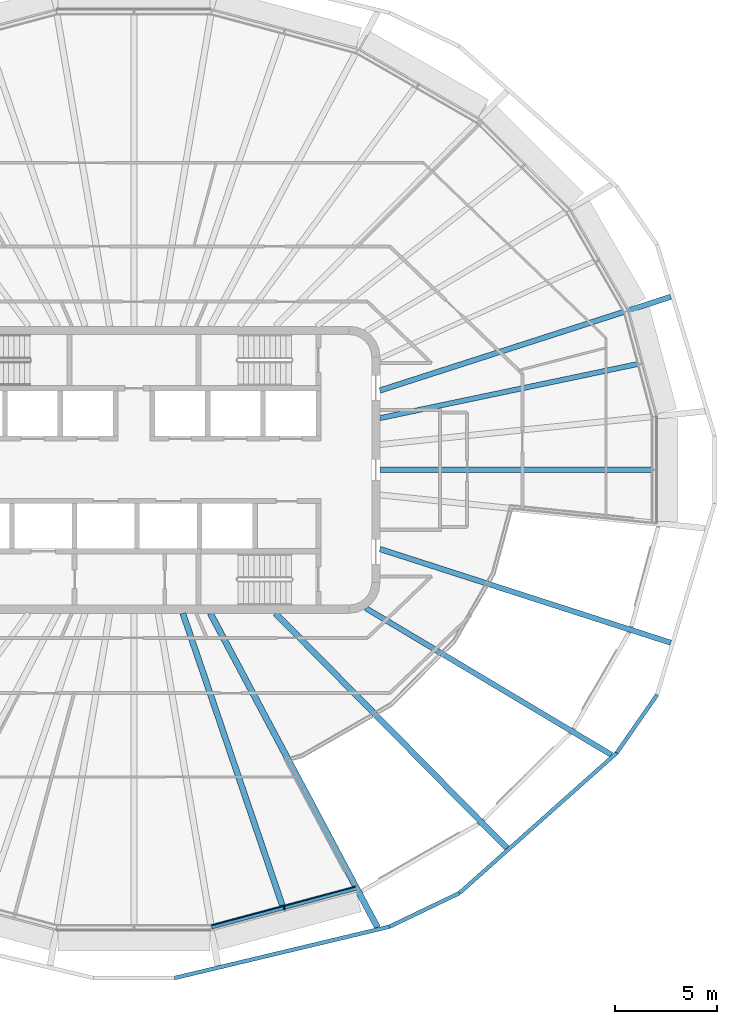
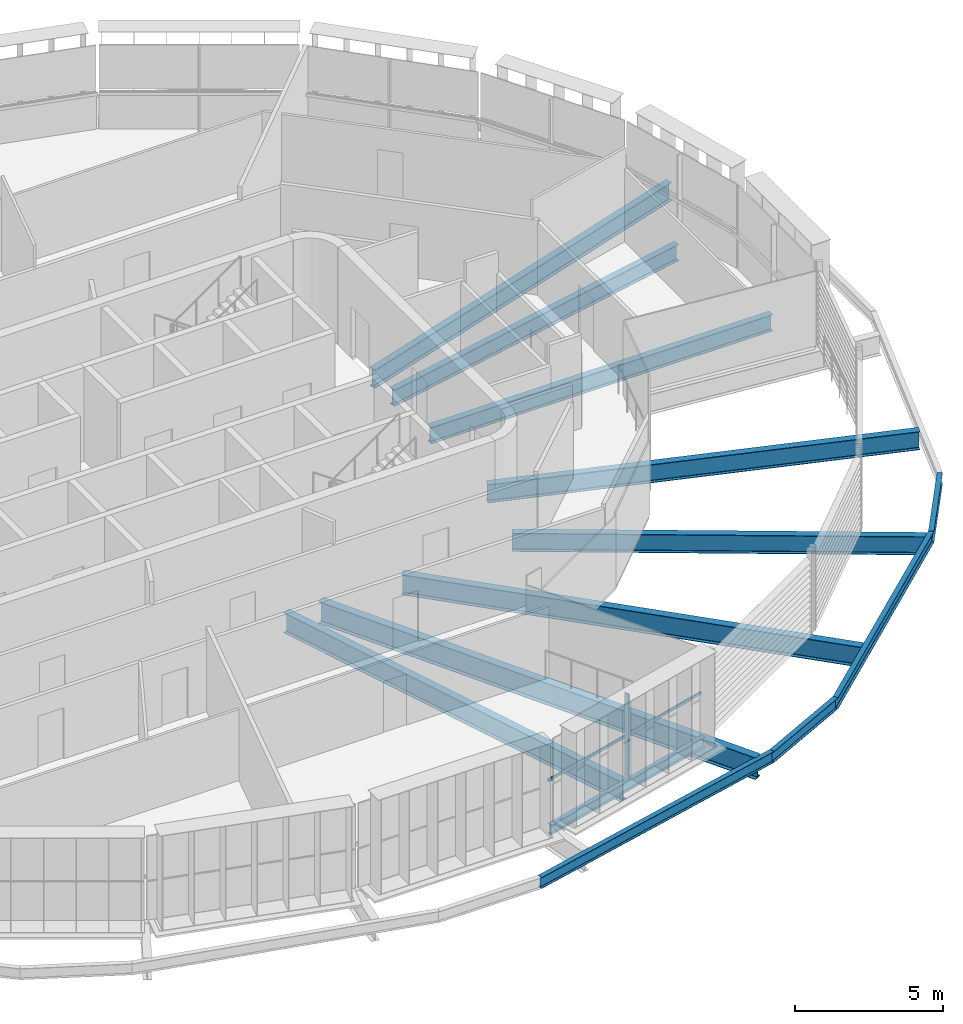
# One storey, part 3 of 18: 13 beams, 2 members, 1 element without a shape of its own.
"""IFC4 building model written with IfcOpenShell, lengths in metres."""

from ifc_helpers import new_model, si_unit, direction, frame, origin, origin_2d, place, context, subcontext, project, spatial, rectangle, i_section, extrude, material, layer, layer_set, material_profile, profile_set, type_object, element, aggregate, save


model = new_model("IFC4")

# Units and contexts
model_context = context("Model", 3, precision=1e-05, world=origin(), true_north=direction((0.0, 1.0)))
body_context = subcontext(model_context, "Body", "Model", "MODEL_VIEW")
ifc_project = project(units=[si_unit("LENGTHUNIT", "METRE"), si_unit("AREAUNIT", "SQUARE_METRE"), si_unit("VOLUMEUNIT", "CUBIC_METRE"), si_unit("PLANEANGLEUNIT", "RADIAN"), si_unit("MASSUNIT", "GRAM", prefix="KILO")], contexts=[model_context])

# Site, building, storey
site_placement = place(None, origin())
site = spatial("IfcSite", under=ifc_project, at=site_placement, CompositionType="ELEMENT")
building_placement = place(site_placement, origin())
building = spatial("IfcBuilding", under=site, at=building_placement, Name="Sahrelin Media Tower", CompositionType="ELEMENT")
storey_placement = place(building_placement, frame((0.0, 0.0, 312.39990234375)))
storey = spatial("IfcBuildingStorey", under=building, at=storey_placement, Name="L69", CompositionType="ELEMENT", Elevation=312.39990234375)

# Beam
ifc_material_1 = material(Name="Steel S355", Category="steel")
ifc_material_profile_1 = material_profile(ifc_material_1, i_section(OverallWidth=0.177978515625, OverallDepth=0.406494140625, WebThickness=0.0078125, FlangeThickness=0.0126953125, FilletRadius=0.01025390625, at=origin_2d()), Name="UB 406x178x60")
ifc_profile_set_1 = profile_set([ifc_material_profile_1], Name="Steel S355")
beam_type_1 = type_object("IfcBeamType", Name="Edge beam EB4", PredefinedType="BEAM", material=ifc_profile_set_1)
beam_1_placement = place(storey_placement, frame((10.86083984375, -20.414306640625, -0.35302734375), z_axis=(-0.965929736492, -0.258804451587, 0.0), x_axis=(0.258804451587, -0.965929736492, 0.0)))
element("IfcBeam", 1, at=beam_1_placement, inside=storey, type_object=beam_type_1, Name="Edge beam L69-02", PredefinedType="BEAM", context=body_context, shape_type="SweptSolid", body=[
    extrude(i_section(OverallWidth=0.177978515625, OverallDepth=0.406494140625, WebThickness=0.0078125, FlangeThickness=0.0126953125, FilletRadius=0.01025390625, at=origin_2d()), origin(), (0.0, 0.0, 1.0), 7.318359375),
])

# Curtain wall, member
ifc_material_2 = material(Name="Champagne anodised aluminium 6063-T6", Category="aluminium")
ifc_layer = layer(ifc_material_2, 0.14990234375)
ifc_layer_set = layer_set([ifc_layer], Name="Tower ribbon curtain wall")
curtain_wall_type = type_object("IfcCurtainWallType", Name="Tower ribbon curtain wall", PredefinedType="NOTDEFINED", material=ifc_layer_set)
curtain_wall_placement = place(storey_placement, frame((7.364990234375, -21.506103515625, 0.0), z_axis=(0.0, 0.0, 1.0), x_axis=(1.0, 0.0, 0.0)))
curtain_wall = element("IfcCurtainWall", 2, at=curtain_wall_placement, inside=storey, type_object=curtain_wall_type, Name="L69:CW:L69-19", PredefinedType="NOTDEFINED")
ifc_material_profile_2 = material_profile(ifc_material_2, rectangle(XDim=0.06005859375, YDim=0.199951171875, at=origin_2d()), Name="Mullion 60x200")
ifc_profile_set_2 = profile_set([ifc_material_profile_2], Name="Champagne anodised aluminium 6063-T6")
member_type_1 = type_object("IfcMemberType", Name="Mullion 60x200 CW1C", PredefinedType="MULLION", material=ifc_profile_set_2)
member_1_placement = place(storey_placement, frame((7.333984375, -21.39013671875, 0.0), z_axis=(0.0, 0.0, 1.0), x_axis=(0.965925826289, 0.258819045103, 0.0)))
member_1 = element("IfcMember", 3, at=member_1_placement, type_object=member_type_1, Name="L69:CWM:L69-19", PredefinedType="MULLION", context=body_context, shape_type="SweptSolid", body=[
    extrude(rectangle(XDim=0.06005859375, YDim=0.199951171875, at=origin_2d()), origin(), (0.0, 0.0, 1.0), 3.44873046875),
])

# Beams
ifc_material_profile_3 = material_profile(ifc_material_1, i_section(OverallWidth=0.291748046875, OverallDepth=0.8349609375, WebThickness=0.013916015625, FlangeThickness=0.018798828125, FilletRadius=0.017822265625, at=origin_2d()), Name="UB 838x292x176")
ifc_profile_set_3 = profile_set([ifc_material_profile_3], Name="Steel S355")
beam_type_2 = type_object("IfcBeamType", Name="Radial primary beam PB10", PredefinedType="BEAM", material=ifc_profile_set_3)
beam_2_placement = place(storey_placement, frame((6.900634765625, -7.0, -0.5673828125), z_axis=(0.702027793691, -0.712149546715, 0.0), x_axis=(0.712149546715, 0.702027793691, 0.0)))
element("IfcBeam", 4, at=beam_2_placement, inside=storey, type_object=beam_type_2, Name="Radial beam L69-21", PredefinedType="BEAM", context=body_context, shape_type="SweptSolid", body=[
    extrude(i_section(OverallWidth=0.291748046875, OverallDepth=0.8349609375, WebThickness=0.013916015625, FlangeThickness=0.018798828125, FilletRadius=0.017822265625, at=origin_2d()), origin(), (0.0, 0.0, 1.0), 16.08837890625),
])
ifc_material_profile_4 = material_profile(ifc_material_1, i_section(OverallWidth=0.30322265625, OverallDepth=0.903076171875, WebThickness=0.01513671875, FlangeThickness=0.020263671875, FilletRadius=0.01904296875, at=origin_2d()), Name="UB 914x305x201")
ifc_profile_set_4 = profile_set([ifc_material_profile_4], Name="Steel S355")
beam_type_3 = type_object("IfcBeamType", Name="Radial primary beam PB11", PredefinedType="BEAM", material=ifc_profile_set_4)
beam_3_placement = place(storey_placement, frame((3.72412109375, -7.0, -0.601318359375), z_axis=(0.469669389821, -0.882842377928, 0.0), x_axis=(0.882842377928, 0.469669389821, 0.0)))
element("IfcBeam", 5, at=beam_3_placement, inside=storey, type_object=beam_type_3, Name="Radial beam L69-20", PredefinedType="BEAM", context=body_context, shape_type="SweptSolid", body=[
    extrude(i_section(OverallWidth=0.30322265625, OverallDepth=0.903076171875, WebThickness=0.01513671875, FlangeThickness=0.020263671875, FilletRadius=0.01904296875, at=origin_2d()), origin(), (0.0, 0.0, 1.0), 17.367431640625),
])
ifc_material_profile_5 = material_profile(ifc_material_1, i_section(OverallWidth=0.26513671875, OverallDepth=0.75390625, WebThickness=0.0126953125, FlangeThickness=0.017578125, FilletRadius=0.0166015625, at=origin_2d()), Name="UB 762x267x147")
ifc_profile_set_5 = profile_set([ifc_material_profile_5], Name="Steel S355")
beam_type_4 = type_object("IfcBeamType", Name="Radial primary beam PB9", PredefinedType="BEAM", material=ifc_profile_set_5)
beam_4_placement = place(storey_placement, frame((12.0, 3.8671875, -0.52685546875), z_axis=(0.951802770079, 0.306710754409, 0.0), x_axis=(-0.306710754409, 0.951802770079, 0.0)))
element("IfcBeam", 6, at=beam_4_placement, inside=storey, type_object=beam_type_4, Name="Radial beam L69-02", PredefinedType="BEAM", context=body_context, shape_type="SweptSolid", body=[
    extrude(i_section(OverallWidth=0.26513671875, OverallDepth=0.75390625, WebThickness=0.0126953125, FlangeThickness=0.017578125, FilletRadius=0.0166015625, at=origin_2d()), origin(), (0.0, 0.0, 1.0), 14.901123046875),
])
beam_5_placement = place(storey_placement, frame((11.309814453125, -6.753173828125, -0.52685546875), z_axis=(0.858595650367, -0.512653400624, 0.0), x_axis=(0.512653400624, 0.858595650367, 0.0)))
element("IfcBeam", 7, at=beam_5_placement, inside=storey, type_object=beam_type_4, Name="Radial beam L69-22", PredefinedType="BEAM", context=body_context, shape_type="SweptSolid", body=[
    extrude(i_section(OverallWidth=0.26513671875, OverallDepth=0.75390625, WebThickness=0.0126953125, FlangeThickness=0.017578125, FilletRadius=0.0166015625, at=origin_2d()), origin(), (0.0, 0.0, 1.0), 13.962158203125),
])
beam_6_placement = place(storey_placement, frame((12.0, -3.8671875, -0.52685546875), z_axis=(0.951802770079, -0.306710754409, 0.0), x_axis=(0.306710754409, 0.951802770079, 0.0)))
element("IfcBeam", 8, at=beam_6_placement, inside=storey, type_object=beam_type_4, Name="Radial beam L69-23", PredefinedType="BEAM", context=body_context, shape_type="SweptSolid", body=[
    extrude(i_section(OverallWidth=0.26513671875, OverallDepth=0.75390625, WebThickness=0.0126953125, FlangeThickness=0.017578125, FilletRadius=0.0166015625, at=origin_2d()), origin(), (0.0, 0.0, 1.0), 14.901123046875),
])
ifc_material_profile_6 = material_profile(ifc_material_1, i_section(OverallWidth=0.291748046875, OverallDepth=0.8349609375, WebThickness=0.013916015625, FlangeThickness=0.018798828125, FilletRadius=0.017822265625, at=origin_2d()), Name="UB 838x292x176")
ifc_profile_set_6 = profile_set([ifc_material_profile_6], Name="Steel S355")
beam_type_5 = type_object("IfcBeamType", Name="Radial secondary beam SB10", PredefinedType="BEAM", material=ifc_profile_set_6)
beam_7_placement = place(storey_placement, frame((2.383544921875, -7.0, -0.5673828125), z_axis=(0.322344281153, -0.946622503645, 0.0), x_axis=(0.946622503645, 0.322344281153, 0.0)))
element("IfcBeam", 9, at=beam_7_placement, inside=storey, type_object=beam_type_5, Name="Secondary beam L69-19", PredefinedType="BEAM", context=body_context, shape_type="SweptSolid", body=[
    extrude(i_section(OverallWidth=0.291748046875, OverallDepth=0.8349609375, WebThickness=0.013916015625, FlangeThickness=0.018798828125, FilletRadius=0.017822265625, at=origin_2d()), origin(), (0.0, 0.0, 1.0), 15.095458984375),
])
ifc_material_profile_7 = material_profile(ifc_material_1, i_section(OverallWidth=0.2529296875, OverallDepth=0.677978515625, WebThickness=0.01171875, FlangeThickness=0.01611328125, FilletRadius=0.01513671875, at=origin_2d()), Name="UB 686x254x125")
ifc_profile_set_7 = profile_set([ifc_material_profile_7], Name="Steel S355")
beam_type_6 = type_object("IfcBeamType", Name="Radial secondary beam SB8", PredefinedType="BEAM", material=ifc_profile_set_7)
beam_8_placement = place(storey_placement, frame((12.0, 2.518798828125, -0.489013671875), z_axis=(0.978672611254, 0.205426191079, 0.0), x_axis=(-0.205426191079, 0.978672611254, 0.0)))
element("IfcBeam", 10, at=beam_8_placement, inside=storey, type_object=beam_type_6, Name="Secondary beam L69-01", PredefinedType="BEAM", context=body_context, shape_type="SweptSolid", body=[
    extrude(i_section(OverallWidth=0.2529296875, OverallDepth=0.677978515625, WebThickness=0.01171875, FlangeThickness=0.01611328125, FilletRadius=0.01513671875, at=origin_2d()), origin(), (0.0, 0.0, 1.0), 12.867431640625),
])
beam_9_placement = place(storey_placement, frame((12.0, 0.0, -0.489013671875), z_axis=(1.0, 0.0, 0.0), x_axis=(0.0, 1.0, 0.0)))
element("IfcBeam", 11, at=beam_9_placement, inside=storey, type_object=beam_type_6, Name="Secondary beam L69-20", PredefinedType="BEAM", context=body_context, shape_type="SweptSolid", body=[
    extrude(i_section(OverallWidth=0.2529296875, OverallDepth=0.677978515625, WebThickness=0.01171875, FlangeThickness=0.01611328125, FilletRadius=0.01513671875, at=origin_2d()), origin(), (0.0, 0.0, 1.0), 13.2841796875),
])
ifc_material_profile_8 = material_profile(ifc_material_1, i_section(OverallWidth=0.1904296875, OverallDepth=0.45703125, WebThickness=0.009033203125, FlangeThickness=0.014404296875, FilletRadius=0.01025390625, at=origin_2d()), Name="UB 457x191x74")
ifc_profile_set_8 = profile_set([ifc_material_profile_8], Name="Steel S355")
beam_type_7 = type_object("IfcBeamType", Name="Tie chord TC5", PredefinedType="BEAM", material=ifc_profile_set_8)
beam_10_placement = place(storey_placement, frame((1.97216796875, -24.79638671875, -0.37841796875), z_axis=(0.972662145221, 0.232224786046, 0.0), x_axis=(-0.232224786046, 0.972662145221, 0.0)))
element("IfcBeam", 12, at=beam_10_placement, inside=storey, type_object=beam_type_7, Name="Tie chord L69-19", PredefinedType="BEAM", context=body_context, shape_type="SweptSolid", body=[
    extrude(i_section(OverallWidth=0.1904296875, OverallDepth=0.45703125, WebThickness=0.009033203125, FlangeThickness=0.014404296875, FilletRadius=0.01025390625, at=origin_2d()), origin(), (0.0, 0.0, 1.0), 10.778076171875),
])
beam_11_placement = place(storey_placement, frame((12.45556640625, -22.29345703125, -0.37841796875), z_axis=(0.901627608015, 0.432513186464, 0.0), x_axis=(-0.432513186464, 0.901627608015, 0.0)))
element("IfcBeam", 13, at=beam_11_placement, inside=storey, type_object=beam_type_7, Name="Tie chord L69-20", PredefinedType="BEAM", context=body_context, shape_type="SweptSolid", body=[
    extrude(i_section(OverallWidth=0.1904296875, OverallDepth=0.45703125, WebThickness=0.009033203125, FlangeThickness=0.014404296875, FilletRadius=0.01025390625, at=origin_2d()), origin(), (0.0, 0.0, 1.0), 3.788818359375),
])
beam_12_placement = place(storey_placement, frame((15.87158203125, -20.65478515625, -0.37841796875), z_axis=(0.746646114938, 0.665221451134, 0.0), x_axis=(-0.665221451134, 0.746646114938, 0.0)))
element("IfcBeam", 14, at=beam_12_placement, inside=storey, type_object=beam_type_7, Name="Tie chord L69-21", PredefinedType="BEAM", context=body_context, shape_type="SweptSolid", body=[
    extrude(i_section(OverallWidth=0.1904296875, OverallDepth=0.45703125, WebThickness=0.009033203125, FlangeThickness=0.014404296875, FilletRadius=0.01025390625, at=origin_2d()), origin(), (0.0, 0.0, 1.0), 10.2783203125),
])
beam_13_placement = place(storey_placement, frame((23.5458984375, -13.8173828125, -0.37841796875), z_axis=(0.570604943909, 0.82122469397, 0.0), x_axis=(-0.82122469397, 0.570604943909, 0.0)))
element("IfcBeam", 15, at=beam_13_placement, inside=storey, type_object=beam_type_7, Name="Tie chord L69-22", PredefinedType="BEAM", context=body_context, shape_type="SweptSolid", body=[
    extrude(i_section(OverallWidth=0.1904296875, OverallDepth=0.45703125, WebThickness=0.009033203125, FlangeThickness=0.014404296875, FilletRadius=0.01025390625, at=origin_2d()), origin(), (0.0, 0.0, 1.0), 3.456298828125),
])

# Member
ifc_material_profile_9 = material_profile(ifc_material_2, rectangle(XDim=0.050048828125, YDim=0.1201171875, at=origin_2d()), Name="Transom 50x120")
ifc_profile_set_9 = profile_set([ifc_material_profile_9], Name="Champagne anodised aluminium 6063-T6")
member_type_2 = type_object("IfcMemberType", Name="Transom 50x120 CW1C", PredefinedType="USERDEFINED", material=ifc_profile_set_9)
member_2_placement = place(storey_placement, frame((3.782470703125, -22.21240234375, 1.60009765625), z_axis=(0.965925618712, 0.25881981979, 0.0), x_axis=(-0.25881981979, 0.965925618712, 0.0)))
member_2 = element("IfcMember", 16, at=member_2_placement, type_object=member_type_2, Name="L69:CWT:L69-19", ObjectType="TRANSOM", PredefinedType="USERDEFINED", context=body_context, shape_type="SweptSolid", body=[
    extrude(rectangle(XDim=0.050048828125, YDim=0.1201171875, at=origin_2d()), origin(), (0.0, 0.0, 1.0), 7.286865234375),
])

aggregate(curtain_wall, [member_1, member_2])

save(model, "model.ifc")
